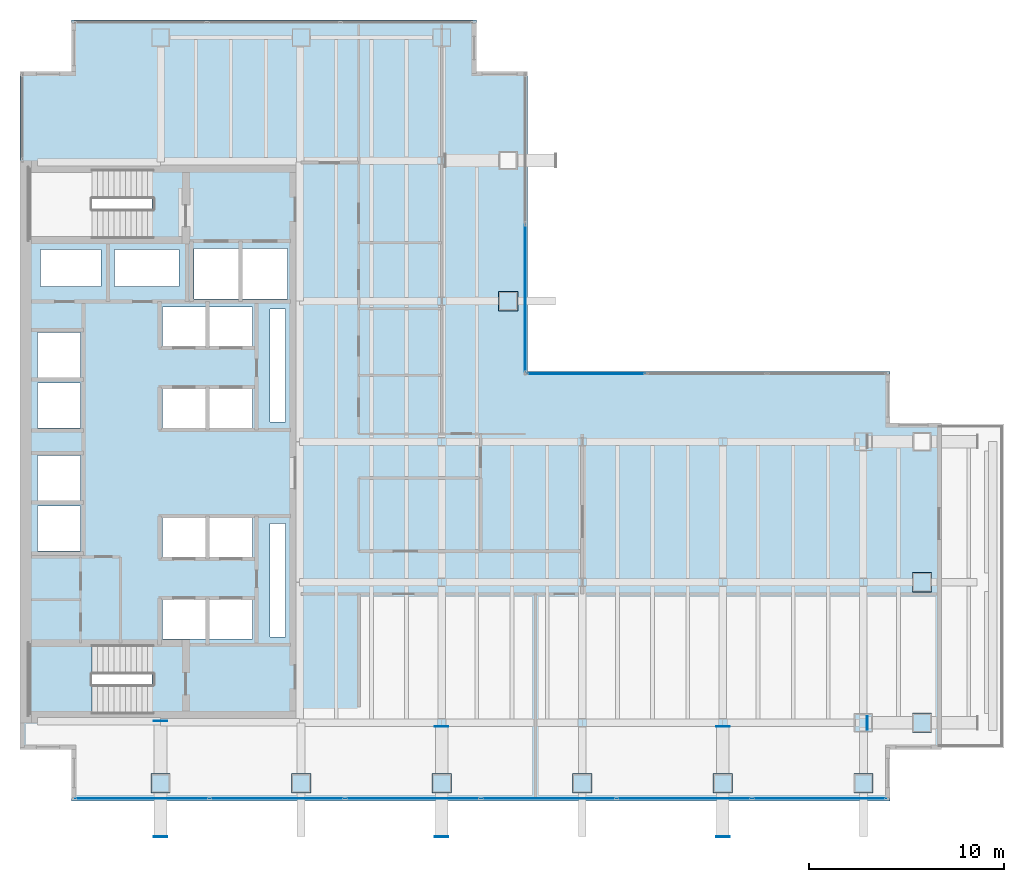
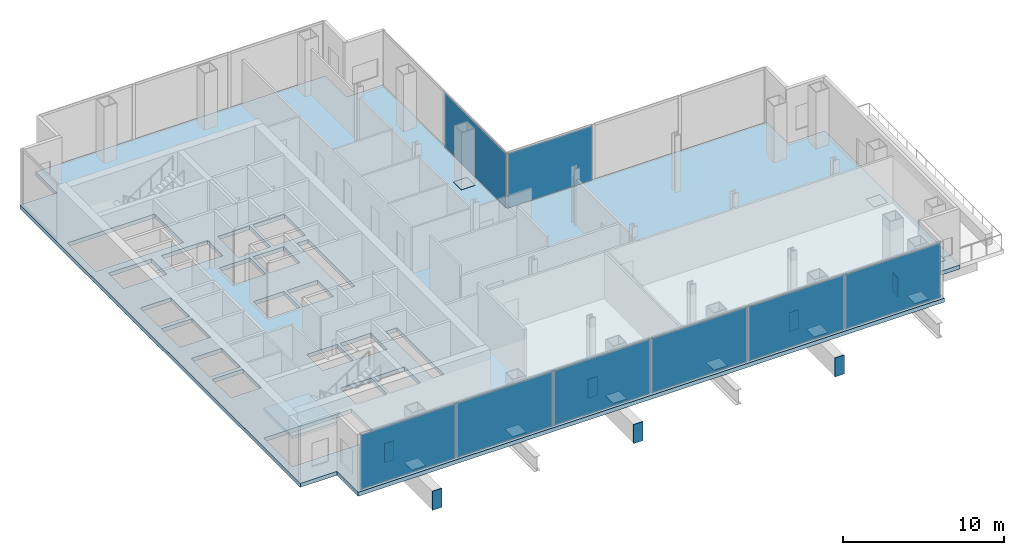
# One storey, part 11 of 16: 24 plates, 2 slabs, 20 openings, 4 elements without a shape of their own.
"""IFC4 building model written with IfcOpenShell, lengths in metres."""

import ifcopenshell
import ifcopenshell.guid

model = None  # the IFC model being written
_history = None  # IfcOwnerHistory: only IFC2X3 demands one
_inside = {}  # id of a spatial element -> (the spatial element, [elements in it])
_under = {}  # id of a project, library or spatial element -> (it, [spatial elements below it])
_declared = {}  # id of a project -> (the project, [libraries it declares])
_typed = {}  # id of a type object -> (the type object, [elements of that type])
_made_of = {}  # id of a material, layer set ... -> (it, [elements and type objects made of it])


def new_model(schema):
    """Start an empty IFC model of exactly this schema.

    Asked for "IFC4X3", IfcOpenShell would pick the latest addendum, in which some entities
    have other attributes; the version numbers below select the first issue.
    IFC2X3 requires an IfcOwnerHistory on every rooted entity: one is made here for all.
    """
    global model, _history
    if schema == "IFC4X3":
        model = ifcopenshell.file(schema_version=(4, 3, 0, 0))
    else:
        model = ifcopenshell.file(schema=schema)
    _inside.clear()
    _under.clear()
    _declared.clear()
    _typed.clear()
    _made_of.clear()
    _history = None
    if model.schema == "IFC2X3":
        org = make("IfcOrganization", Name="unknown")
        user = make(
            "IfcPersonAndOrganization",
            ThePerson=make("IfcPerson", FamilyName="unknown"),
            TheOrganization=org,
        )
        app = make(
            "IfcApplication",
            ApplicationDeveloper=org,
            Version="unknown",
            ApplicationFullName="unknown",
            ApplicationIdentifier="unknown",
        )
        _history = make(
            "IfcOwnerHistory",
            OwningUser=user,
            OwningApplication=app,
            ChangeAction="ADDED",
            CreationDate=0,
        )
    return model


def make(cls, **values):
    """One entity of the class cls with the attributes given. An attribute that is None is left unset."""
    return model.create_entity(
        cls, **{name: value for name, value in values.items() if value is not None}
    )


def rooted(cls, **values):
    """An entity with a GlobalId (a new one), such as an element, a storey or a relation."""
    return make(cls, GlobalId=ifcopenshell.guid.new(), OwnerHistory=_history, **values)


def si_unit(unit_type, name, prefix=None):
    """IfcSIUnit, for example si_unit("LENGTHUNIT", "METRE", prefix="MILLI")."""
    return make("IfcSIUnit", UnitType=unit_type, Prefix=prefix, Name=name)


def assignment(units):
    """IfcUnitAssignment: the units of a project."""
    return None if units is None else make("IfcUnitAssignment", Units=units)


def point(xyz):
    """IfcCartesianPoint."""
    return None if xyz is None else make("IfcCartesianPoint", Coordinates=xyz)


def direction(xyz):
    """IfcDirection."""
    return None if xyz is None else make("IfcDirection", DirectionRatios=xyz)


def frame(location, z_axis=None, x_axis=None):
    """IfcAxis2Placement3D, a coordinate frame: its origin and axes. An axis left out is left unset."""
    return make(
        "IfcAxis2Placement3D",
        Location=point(location),
        Axis=direction(z_axis),
        RefDirection=direction(x_axis),
    )


def frame_2d(location, x_axis=None):
    """IfcAxis2Placement2D, a coordinate frame in the plane: its origin and x axis."""
    return make(
        "IfcAxis2Placement2D", Location=point(location), RefDirection=direction(x_axis)
    )


def origin():
    """The frame at (0, 0, 0) with its axes left unset."""
    return frame((0.0, 0.0, 0.0))


def origin_2d():
    """The frame at (0, 0) in the plane with its x axis left unset."""
    return frame_2d((0.0, 0.0))


def place(relative_to, where):
    """IfcLocalPlacement: puts the frame where relative to a parent placement (None: the world)."""
    return make(
        "IfcLocalPlacement", PlacementRelTo=relative_to, RelativePlacement=where
    )


def context(
    kind, dimensions, precision=None, world=None, true_north=None, identifier=None
):
    """IfcGeometricRepresentationContext, for example the 3D "Model" context."""
    return make(
        "IfcGeometricRepresentationContext",
        ContextIdentifier=identifier,
        ContextType=kind,
        CoordinateSpaceDimension=dimensions,
        Precision=precision,
        WorldCoordinateSystem=world,
        TrueNorth=true_north,
    )


def subcontext(parent, identifier, kind, view, scale=None):
    """IfcGeometricRepresentationSubContext, for example "Body" below "Model"."""
    return make(
        "IfcGeometricRepresentationSubContext",
        ContextIdentifier=identifier,
        ContextType=kind,
        ParentContext=parent,
        TargetScale=scale,
        TargetView=view,
    )


def project(units=None, contexts=None):
    """IfcProject with its units and contexts."""
    return rooted(
        "IfcProject",
        Name="project",
        RepresentationContexts=contexts,
        UnitsInContext=assignment(units),
    )


def spatial(cls, under=None, at=None, **own):
    """A site, building, storey or space (cls), placed at a placement, below another one or the project."""
    s = rooted(cls, ObjectPlacement=at, **own)
    if under is not None:
        _under.setdefault(under.id(), (under, []))[1].append(s)
    return s


def polyline(points):
    """IfcPolyline through the points."""
    return make("IfcPolyline", Points=[point(p) for p in points])


def profile(cls, at=None, kind="AREA", **sizes):
    """A parametric profile (cls). Its sizes go by their IFC names, for example OverallWidth=200.0."""
    return make(cls, ProfileType=kind, Position=at, **sizes)


def rectangle(**sizes):
    """IfcRectangleProfileDef."""
    return profile("IfcRectangleProfileDef", **sizes)


def outline(outer, holes=None, kind="AREA"):
    """IfcArbitraryClosedProfileDef: a profile drawn as a closed curve; with holes, ...WithVoids."""
    if holes is None:
        return make("IfcArbitraryClosedProfileDef", ProfileType=kind, OuterCurve=outer)
    return make(
        "IfcArbitraryProfileDefWithVoids",
        ProfileType=kind,
        OuterCurve=outer,
        InnerCurves=holes,
    )


def extrude(swept, where, along, depth):
    """IfcExtrudedAreaSolid: the profile swept, set in the frame where, extruded along a direction by depth."""
    return make(
        "IfcExtrudedAreaSolid",
        SweptArea=swept,
        Position=where,
        ExtrudedDirection=direction(along),
        Depth=depth,
    )


def shape(context_of_items, identifier, shape_type, items):
    """IfcShapeRepresentation: the items that make up one representation, for example the "Body"."""
    return make(
        "IfcShapeRepresentation",
        ContextOfItems=context_of_items,
        RepresentationIdentifier=identifier,
        RepresentationType=shape_type,
        Items=items,
    )


def material(Name=None, Category=None):
    """IfcMaterial."""
    return make("IfcMaterial", Name=Name, Category=Category)


def layer(
    of_material, thickness, ventilated=None, Name=None, Category=None, Priority=None
):
    """IfcMaterialLayer: one layer of a wall or slab, of a material (None: an air gap)."""
    return make(
        "IfcMaterialLayer",
        Material=of_material,
        LayerThickness=thickness,
        IsVentilated=ventilated,
        Name=Name,
        Category=Category,
        Priority=Priority,
    )


def layer_set(layers, Name=None):
    """IfcMaterialLayerSet."""
    return make("IfcMaterialLayerSet", MaterialLayers=layers, LayerSetName=Name)


def made_of(thing, what):
    """Note that an element or type object is made of a material, layer set ...; save() writes the relation."""
    if what is not None:
        _made_of.setdefault(what.id(), (what, []))[1].append(thing)
    return thing


def type_object(cls, material=None, **own):
    """A type object (cls), such as IfcWallType, which elements share."""
    return made_of(rooted(cls, **own), material)


def element(
    cls,
    number,
    at=None,
    inside=None,
    cuts=None,
    type_object=None,
    material=None,
    context=None,
    identifier="Body",
    shape_type=None,
    held_by="IfcProductDefinitionShape",
    body=None,
    shapes=None,
    **own,
):
    """One element of the class cls, such as IfcWall. Its Tag is "e" and its number.

    at: its placement. inside: the storey or other place that contains it. cuts: it is an
    opening in that element (IfcRelVoidsElement). A single representation is given by context,
    identifier, shape_type and body (its items); several are given by shapes. held_by: the class
    of the entity that holds the representations. save() writes the other relations.
    """
    e = rooted(cls, Tag="e%d" % number, ObjectPlacement=at, **own)
    if body is not None:
        shapes = [shape(context, identifier, shape_type, body)]
    if shapes is not None:
        e.Representation = make(held_by, Representations=shapes)
    if inside is not None:
        _inside.setdefault(inside.id(), (inside, []))[1].append(e)
    if cuts is not None:
        rooted(
            "IfcRelVoidsElement", RelatingBuildingElement=cuts, RelatedOpeningElement=e
        )
    if type_object is not None:
        _typed.setdefault(type_object.id(), (type_object, []))[1].append(e)
    return made_of(e, material)


def aggregate(whole, parts):
    """IfcRelAggregates: a whole, such as a stair, and the parts it consists of."""
    return rooted("IfcRelAggregates", RelatingObject=whole, RelatedObjects=parts)


def save(model, path):
    """Write the relations noted so far, then the file.

    IfcRelAggregates (storeys below a building ...), IfcRelContainedInSpatialStructure (elements
    in a storey), IfcRelDefinesByType, IfcRelAssociatesMaterial and IfcRelDeclares: one each for
    every whole, place, type object, material and project.
    """
    for whole, parts in _under.values():
        aggregate(whole, parts)
    for where, things in _inside.values():
        rooted(
            "IfcRelContainedInSpatialStructure",
            RelatedElements=things,
            RelatingStructure=where,
        )
    for kind, things in _typed.values():
        rooted("IfcRelDefinesByType", RelatedObjects=things, RelatingType=kind)
    for what, things in _made_of.values():
        rooted("IfcRelAssociatesMaterial", RelatedObjects=things, RelatingMaterial=what)
    for by, libraries in _declared.values():
        rooted("IfcRelDeclares", RelatingContext=by, RelatedDefinitions=libraries)
    model.write(path)


model = new_model("IFC4")

# Units and contexts
model_context = context("Model", 3, precision=1e-05, world=origin(), true_north=direction((0.0, 1.0)))
body_context = subcontext(model_context, "Body", "Model", "MODEL_VIEW")
ifc_project = project(units=[si_unit("LENGTHUNIT", "METRE"), si_unit("AREAUNIT", "SQUARE_METRE"), si_unit("VOLUMEUNIT", "CUBIC_METRE"), si_unit("PLANEANGLEUNIT", "RADIAN"), si_unit("MASSUNIT", "GRAM", prefix="KILO")], contexts=[model_context])

# Site, building, storey
site_placement = place(None, origin())
site = spatial("IfcSite", under=ifc_project, at=site_placement, CompositionType="ELEMENT")
building_placement = place(site_placement, origin())
building = spatial("IfcBuilding", under=site, at=building_placement, Name="Cobrela Telecom Tower", CompositionType="ELEMENT")
storey_placement = place(building_placement, frame((0.0, 0.0, 97.64990234375)))
storey = spatial("IfcBuildingStorey", under=building, at=storey_placement, Name="L24", CompositionType="ELEMENT", Elevation=97.64990234375)

# Curtain wall, plate
ifc_material_1 = material(Name="Anodized Bronze Aluminium 6063-T6", Category="aluminium")
curtain_wall_type = type_object("IfcCurtainWallType", Name="CW-SYS-SKY", PredefinedType="USERDEFINED", material=ifc_material_1)
curtain_wall_1_placement = place(storey_placement, origin())
curtain_wall_1 = element("IfcCurtainWall", 1, at=curtain_wall_1_placement, inside=storey, type_object=curtain_wall_type, Name="L24 Unitised Bronze Curtain Wall 10", ObjectType="UNITISED CURTAIN WALL", PredefinedType="USERDEFINED")
ifc_material_2 = material(Name="Solar-Control Bronze Low-E Glass", Category="glass")
ifc_layer_1 = layer(ifc_material_2, 0.0400390625)
ifc_layer_set_1 = layer_set([ifc_layer_1], Name="Solar-Control Bronze Low-E Glass")
plate_type_1 = type_object("IfcPlateType", Name="CW-SYS-SKY-PNL", PredefinedType="CURTAIN_PANEL", material=ifc_layer_set_1)
plate_1_placement = place(storey_placement, frame((25.8798828125, 28.9423828125, 0.0751953125), z_axis=(0.0, 0.0, 1.0), x_axis=(0.0, -1.0, 0.0)))
plate_1 = element("IfcPlate", 2, at=plate_1_placement, type_object=plate_type_1, Name="CW-SKY panel 2.1", PredefinedType="CURTAIN_PANEL", context=body_context, shape_type="SweptSolid", body=[
    extrude(rectangle(XDim=7.56494140625, YDim=0.0400390625, at=origin_2d()), origin(), (0.0, 0.0, 1.0), 4.1298828125),
])
aggregate(curtain_wall_1, [plate_1])

curtain_wall_2_placement = place(storey_placement, origin())
curtain_wall_2 = element("IfcCurtainWall", 3, at=curtain_wall_2_placement, inside=storey, type_object=curtain_wall_type, Name="L24 Unitised Bronze Curtain Wall 11", ObjectType="UNITISED CURTAIN WALL", PredefinedType="USERDEFINED")
plate_2_placement = place(storey_placement, frame((28.9951171875, 25.080078125, 0.0751953125), z_axis=(0.0, 0.0, 1.0), x_axis=(1.0, 0.0, 0.0)))
plate_2 = element("IfcPlate", 4, at=plate_2_placement, type_object=plate_type_1, Name="CW-SKY panel 1.1", PredefinedType="CURTAIN_PANEL", context=body_context, shape_type="SweptSolid", body=[
    extrude(rectangle(XDim=6.070068359375, YDim=0.0400390625, at=origin_2d()), origin(), (0.0, 0.0, 1.0), 4.1298828125),
])
aggregate(curtain_wall_2, [plate_2])

# Curtain wall, plates
curtain_wall_3_placement = place(storey_placement, origin())
curtain_wall_3 = element("IfcCurtainWall", 5, at=curtain_wall_3_placement, inside=storey, type_object=curtain_wall_type, Name="L24 Unitised Bronze Curtain Wall 17", ObjectType="UNITISED CURTAIN WALL", PredefinedType="USERDEFINED")
plate_3_placement = place(storey_placement, frame((40.955078125, 3.320068359375, 0.0751953125), z_axis=(0.0, 0.0, 1.0), x_axis=(-1.0, 0.0, 0.0)))
plate_3 = element("IfcPlate", 6, at=plate_3_placement, type_object=plate_type_1, Name="CW-SKY panel 1.1", PredefinedType="CURTAIN_PANEL", context=body_context, shape_type="SweptSolid", body=[
    extrude(rectangle(XDim=6.830078125, YDim=0.0400390625, at=origin_2d()), origin(), (0.0, 0.0, 1.0), 4.1298828125),
])
plate_4_placement = place(storey_placement, frame((34.02490234375, 3.320068359375, 0.0751953125), z_axis=(0.0, 0.0, 1.0), x_axis=(-1.0, 0.0, 0.0)))
plate_4 = element("IfcPlate", 7, at=plate_4_placement, type_object=plate_type_1, Name="CW-SKY panel 2.1", PredefinedType="CURTAIN_PANEL", context=body_context, shape_type="SweptSolid", body=[
    extrude(rectangle(XDim=6.8701171875, YDim=0.0400390625, at=origin_2d()), origin(), (0.0, 0.0, 1.0), 4.1298828125),
])
plate_5_placement = place(storey_placement, frame((27.074951171875, 3.320068359375, 0.0751953125), z_axis=(0.0, 0.0, 1.0), x_axis=(-1.0, 0.0, 0.0)))
plate_5 = element("IfcPlate", 8, at=plate_5_placement, type_object=plate_type_1, Name="CW-SKY panel 3.1", PredefinedType="CURTAIN_PANEL", context=body_context, shape_type="SweptSolid", body=[
    extrude(rectangle(XDim=6.8701171875, YDim=0.0400390625, at=origin_2d()), origin(), (0.0, 0.0, 1.0), 4.1298828125),
])
plate_6_placement = place(storey_placement, frame((20.125, 3.320068359375, 0.0751953125), z_axis=(0.0, 0.0, 1.0), x_axis=(-1.0, 0.0, 0.0)))
plate_6 = element("IfcPlate", 9, at=plate_6_placement, type_object=plate_type_1, Name="CW-SKY panel 4.1", PredefinedType="CURTAIN_PANEL", context=body_context, shape_type="SweptSolid", body=[
    extrude(rectangle(XDim=6.8701171875, YDim=0.0400390625, at=origin_2d()), origin(), (0.0, 0.0, 1.0), 4.1298828125),
])
plate_7_placement = place(storey_placement, frame((13.175048828125, 3.320068359375, 0.0751953125), z_axis=(0.0, 0.0, 1.0), x_axis=(-1.0, 0.0, 0.0)))
plate_7 = element("IfcPlate", 10, at=plate_7_placement, type_object=plate_type_1, Name="CW-SKY panel 5.1", PredefinedType="CURTAIN_PANEL", context=body_context, shape_type="SweptSolid", body=[
    extrude(rectangle(XDim=6.8701171875, YDim=0.0400390625, at=origin_2d()), origin(), (0.0, 0.0, 1.0), 4.1298828125),
])
plate_8_placement = place(storey_placement, frame((6.2451171875, 3.320068359375, 0.0751953125), z_axis=(0.0, 0.0, 1.0), x_axis=(-1.0, 0.0, 0.0)))
plate_8 = element("IfcPlate", 11, at=plate_8_placement, type_object=plate_type_1, Name="CW-SKY panel 6.1", PredefinedType="CURTAIN_PANEL", context=body_context, shape_type="SweptSolid", body=[
    extrude(rectangle(XDim=6.830078125, YDim=0.0400390625, at=origin_2d()), origin(), (0.0, 0.0, 1.0), 4.1298828125),
])
aggregate(curtain_wall_3, [plate_3, plate_4, plate_5, plate_6, plate_7, plate_8])

# Plates
ifc_material_3 = material(Name="Steel ASTM A572 Grade 50", Category="steel")
ifc_layer_2 = layer(ifc_material_3, 0.044921875)
ifc_layer_set_2 = layer_set([ifc_layer_2], Name="Steel ASTM A572 Grade 50")
plate_type_2 = type_object("IfcPlateType", Name="PLT-END-CAP-45", PredefinedType="SHEET", material=ifc_layer_set_2)
for number, where, z_axis, x_axis, name in (
    (12, (7.199951171875, 4.10009765625, -0.04248046875), (0.0, 0.0, 1.0), (1.0, 0.0, 0.0), "L24 Stepped Column Base Cap Plate 59"),
    (13, (14.39990234375, 4.10009765625, -0.04248046875), (0.0, 0.0, 1.0), (1.0, 0.0, 0.0), "L24 Stepped Column Base Cap Plate 60"),
    (14, (21.60009765625, 4.10009765625, -0.04248046875), (0.0, 0.0, 1.0), (1.0, 0.0, 0.0), "L24 Stepped Column Base Cap Plate 61"),
    (15, (25.0, 28.800048828125, -0.04248046875), (0.0, 0.0, 1.0), (1.0, 0.0, 0.0), "L24 Stepped Column Base Cap Plate 62"),
    (16, (28.800048828125, 4.10009765625, -0.04248046875), (0.0, 0.0, 1.0), (1.0, 0.0, 0.0), "L24 Stepped Column Base Cap Plate 64"),
    (17, (36.0, 4.10009765625, -0.04248046875), (0.0, 0.0, 1.0), (1.0, 0.0, 0.0), "L24 Stepped Column Base Cap Plate 65"),
    (18, (43.199951171875, 4.10009765625, -0.04248046875), (0.0, 0.0, 1.0), (1.0, 0.0, 0.0), "L24 Stepped Column Base Cap Plate 66"),
    (19, (46.199951171875, 7.199951171875, -0.04248046875), (0.0, 0.0, 1.0), (1.0, 0.0, 0.0), "L24 Stepped Column Base Cap Plate 67"),
    (20, (46.199951171875, 14.39990234375, -0.04248046875), (0.0, 0.0, 1.0), (1.0, 0.0, 0.0), "L24 Stepped Column Base Cap Plate 68"),
):
    element("IfcPlate", number, at=place(storey_placement, frame(where, z_axis=z_axis, x_axis=x_axis)), inside=storey, type_object=plate_type_2, Name=name, PredefinedType="SHEET", context=body_context, shape_type="SweptSolid", body=[
        extrude(rectangle(XDim=0.989990234375, YDim=0.989990234375, at=origin_2d()), origin(), (0.0, 0.0, 1.0), 0.044921875),
    ])
ifc_layer_3 = layer(ifc_material_3, 0.0439453125)
ifc_layer_set_3 = layer_set([ifc_layer_3], Name="Steel ASTM A572 Grade 50")
plate_type_3 = type_object("IfcPlateType", Name="PLT-NODE-ND2", PredefinedType="USERDEFINED", material=ifc_layer_set_3)
for number, where, z_axis, x_axis, name in (
    (21, (7.199951171875, 1.360107421875, -1.719970703125), (0.0, 0.0, 1.0), (0.0, 1.0, 0.0), "Steel node plate PLT-BM-L24-BM-TRG-1400-Y-072-014-C0"),
    (22, (7.199951171875, 7.294921875, -1.719970703125), (0.0, 0.0, 1.0), (0.0, 1.0, 0.0), "Steel node plate PLT-BM-L24-BM-TRG-1400-Y-072-014-C1"),
    (23, (21.60009765625, 1.360107421875, -1.719970703125), (0.0, 0.0, 1.0), (0.0, 1.0, 0.0), "Steel node plate PLT-BM-L24-BM-TRG-1400-Y-216-014-C0"),
    (24, (21.60009765625, 7.010498046875, -1.719970703125), (0.0, 0.0, 1.0), (0.0, 1.0, 0.0), "Steel node plate PLT-BM-L24-BM-TRG-1400-Y-216-014-C1"),
    (25, (36.0, 1.360107421875, -1.719970703125), (0.0, 0.0, 1.0), (0.0, 1.0, 0.0), "Steel node plate PLT-BM-L24-BM-TRG-1400-Y-360-014-C0"),
    (26, (36.0, 7.010498046875, -1.719970703125), (0.0, 0.0, 1.0), (0.0, 1.0, 0.0), "Steel node plate PLT-BM-L24-BM-TRG-1400-Y-360-014-C1"),
    (27, (43.389404296875, 7.199951171875, -1.719970703125), (0.0, 0.0, 1.0), (1.0, 0.0, 0.0), "Steel node plate PLT-BM-L24-BM-TRG-1400-X-072-434-C0"),
):
    element("IfcPlate", number, at=place(storey_placement, frame(where, z_axis=z_axis, x_axis=x_axis)), inside=storey, type_object=plate_type_3, Name=name, ObjectType="GUSSET PLATE", PredefinedType="USERDEFINED", context=body_context, shape_type="SweptSolid", body=[
        extrude(rectangle(XDim=0.044921875, YDim=0.68994140625, at=origin_2d()), origin(), (0.0, 0.0, 1.0), 1.43994140625),
    ])

# Slab, openings
ifc_material_4 = material(Name="Concrete C40/50", Category="concrete")
ifc_layer_4 = layer(ifc_material_4, 0.300048828125)
ifc_layer_set_4 = layer_set([ifc_layer_4], Name="Concrete C40/50")
slab_type_1 = type_object("IfcSlabType", Name="SLAB-FLR-300", PredefinedType="FLOOR", material=ifc_layer_set_4)
slab_1_placement = place(storey_placement, frame((0.0, 0.0, -0.2998046875)))
slab_1 = element("IfcSlab", 28, at=slab_1_placement, inside=storey, type_object=slab_type_1, Name="L24 Structural Floor Slab", PredefinedType="FLOOR", context=body_context, shape_type="SweptSolid", body=[
    extrude(outline(polyline([(2.6298828125, 3.199951171875), (44.570068359375, 3.199951171875), (44.570068359375, 5.830078125), (47.199951171875, 5.830078125), (47.199951171875, 22.570068359375), (44.570068359375, 22.570068359375), (44.570068359375, 25.199951171875), (26.0, 25.199951171875), (26.0, 40.570068359375), (23.3701171875, 40.570068359375), (23.3701171875, 43.199951171875), (2.6298828125, 43.199951171875), (2.6298828125, 40.570068359375), (0.0, 40.570068359375), (0.0, 5.830078125), (2.6298828125, 5.830078125), (2.6298828125, 3.199951171875)])), origin(), (0.0, 0.0, 1.0), 0.2998046875),
])
opening_1_placement = place(slab_1_placement, frame((0.0, 0.0, -0.02001953125)))
element("IfcOpeningElement", 29, at=opening_1_placement, cuts=slab_1, Name="Slab Shaft Opening SLAB-L24-MAIN.1", PredefinedType="OPENING", context=body_context, shape_type="SweptSolid", body=[
    extrude(outline(polyline([(8.89990234375, 28.89990234375), (11.199951171875, 28.89990234375), (11.199951171875, 31.5), (8.89990234375, 31.5), (8.89990234375, 28.89990234375)])), origin(), (0.0, 0.0, 1.0), 0.33984375),
])
opening_2_placement = place(slab_1_placement, frame((0.0, 0.0, -0.02001953125)))
element("IfcOpeningElement", 30, at=opening_2_placement, cuts=slab_1, Name="Slab Shaft Opening SLAB-L24-MAIN.2", PredefinedType="OPENING", context=body_context, shape_type="SweptSolid", body=[
    extrude(outline(polyline([(11.39990234375, 28.89990234375), (13.699951171875, 28.89990234375), (13.699951171875, 31.5), (11.39990234375, 31.5), (11.39990234375, 28.89990234375)])), origin(), (0.0, 0.0, 1.0), 0.33984375),
])
opening_3_placement = place(slab_1_placement, frame((0.0, 0.0, -0.02001953125)))
element("IfcOpeningElement", 31, at=opening_3_placement, cuts=slab_1, Name="Slab Shaft Opening SLAB-L24-MAIN.3", PredefinedType="OPENING", context=body_context, shape_type="SweptSolid", body=[
    extrude(outline(polyline([(7.300048828125, 22.300048828125), (9.5, 22.300048828125), (9.5, 24.300048828125), (7.300048828125, 24.300048828125), (7.300048828125, 22.300048828125)])), origin(), (0.0, 0.0, 1.0), 0.33984375),
])
opening_4_placement = place(slab_1_placement, frame((0.0, 0.0, -0.02001953125)))
element("IfcOpeningElement", 32, at=opening_4_placement, cuts=slab_1, Name="Slab Shaft Opening SLAB-L24-MAIN.4", PredefinedType="OPENING", context=body_context, shape_type="SweptSolid", body=[
    extrude(outline(polyline([(9.699951171875, 22.300048828125), (11.89990234375, 22.300048828125), (11.89990234375, 24.300048828125), (9.699951171875, 24.300048828125), (9.699951171875, 22.300048828125)])), origin(), (0.0, 0.0, 1.0), 0.33984375),
])
opening_5_placement = place(slab_1_placement, frame((0.0, 0.0, -0.02001953125)))
element("IfcOpeningElement", 33, at=opening_5_placement, cuts=slab_1, Name="Slab Shaft Opening SLAB-L24-MAIN.5", PredefinedType="OPENING", context=body_context, shape_type="SweptSolid", body=[
    extrude(outline(polyline([(7.300048828125, 26.5), (9.5, 26.5), (9.5, 28.5), (7.300048828125, 28.5), (7.300048828125, 26.5)])), origin(), (0.0, 0.0, 1.0), 0.33984375),
])
opening_6_placement = place(slab_1_placement, frame((0.0, 0.0, -0.02001953125)))
element("IfcOpeningElement", 34, at=opening_6_placement, cuts=slab_1, Name="Slab Shaft Opening SLAB-L24-MAIN.6", PredefinedType="OPENING", context=body_context, shape_type="SweptSolid", body=[
    extrude(outline(polyline([(9.699951171875, 26.5), (11.89990234375, 26.5), (11.89990234375, 28.5), (9.699951171875, 28.5), (9.699951171875, 26.5)])), origin(), (0.0, 0.0, 1.0), 0.33984375),
])
opening_7_placement = place(slab_1_placement, frame((0.0, 0.0, -0.02001953125)))
element("IfcOpeningElement", 35, at=opening_7_placement, cuts=slab_1, Name="Slab Shaft Opening SLAB-L24-MAIN.7", PredefinedType="OPENING", context=body_context, shape_type="SweptSolid", body=[
    extrude(outline(polyline([(7.300048828125, 15.699951171875), (9.5, 15.699951171875), (9.5, 17.699951171875), (7.300048828125, 17.699951171875), (7.300048828125, 15.699951171875)])), origin(), (0.0, 0.0, 1.0), 0.33984375),
])
opening_8_placement = place(slab_1_placement, frame((0.0, 0.0, -0.02001953125)))
element("IfcOpeningElement", 36, at=opening_8_placement, cuts=slab_1, Name="Slab Shaft Opening SLAB-L24-MAIN.8", PredefinedType="OPENING", context=body_context, shape_type="SweptSolid", body=[
    extrude(outline(polyline([(9.699951171875, 15.699951171875), (11.89990234375, 15.699951171875), (11.89990234375, 17.699951171875), (9.699951171875, 17.699951171875), (9.699951171875, 15.699951171875)])), origin(), (0.0, 0.0, 1.0), 0.33984375),
])
opening_9_placement = place(slab_1_placement, frame((0.0, 0.0, -0.02001953125)))
element("IfcOpeningElement", 37, at=opening_9_placement, cuts=slab_1, Name="Slab Shaft Opening SLAB-L24-MAIN.9", PredefinedType="OPENING", context=body_context, shape_type="SweptSolid", body=[
    extrude(outline(polyline([(7.300048828125, 11.5), (9.5, 11.5), (9.5, 13.5), (7.300048828125, 13.5), (7.300048828125, 11.5)])), origin(), (0.0, 0.0, 1.0), 0.33984375),
])
opening_10_placement = place(slab_1_placement, frame((0.0, 0.0, -0.02001953125)))
element("IfcOpeningElement", 38, at=opening_10_placement, cuts=slab_1, Name="Slab Shaft Opening SLAB-L24-MAIN.10", PredefinedType="OPENING", context=body_context, shape_type="SweptSolid", body=[
    extrude(outline(polyline([(9.699951171875, 11.5), (11.89990234375, 11.5), (11.89990234375, 13.5), (9.699951171875, 13.5), (9.699951171875, 11.5)])), origin(), (0.0, 0.0, 1.0), 0.33984375),
])
opening_11_placement = place(slab_1_placement, frame((0.0, 0.0, -0.02001953125)))
element("IfcOpeningElement", 39, at=opening_11_placement, cuts=slab_1, Name="Slab Shaft Opening SLAB-L24-MAIN.11", PredefinedType="OPENING", context=body_context, shape_type="SweptSolid", body=[
    extrude(outline(polyline([(0.89990234375, 16.0), (3.10009765625, 16.0), (3.10009765625, 18.300048828125), (0.89990234375, 18.300048828125), (0.89990234375, 16.0)])), origin(), (0.0, 0.0, 1.0), 0.33984375),
])
opening_12_placement = place(slab_1_placement, frame((0.0, 0.0, -0.02001953125)))
element("IfcOpeningElement", 40, at=opening_12_placement, cuts=slab_1, Name="Slab Shaft Opening SLAB-L24-MAIN.12", PredefinedType="OPENING", context=body_context, shape_type="SweptSolid", body=[
    extrude(outline(polyline([(0.89990234375, 18.60009765625), (3.10009765625, 18.60009765625), (3.10009765625, 20.89990234375), (0.89990234375, 20.89990234375), (0.89990234375, 18.60009765625)])), origin(), (0.0, 0.0, 1.0), 0.33984375),
])
opening_13_placement = place(slab_1_placement, frame((0.0, 0.0, -0.02001953125)))
element("IfcOpeningElement", 41, at=opening_13_placement, cuts=slab_1, Name="Slab Shaft Opening SLAB-L24-MAIN.13", PredefinedType="OPENING", context=body_context, shape_type="SweptSolid", body=[
    extrude(outline(polyline([(0.89990234375, 22.300048828125), (3.10009765625, 22.300048828125), (3.10009765625, 24.60009765625), (0.89990234375, 24.60009765625), (0.89990234375, 22.300048828125)])), origin(), (0.0, 0.0, 1.0), 0.33984375),
])
opening_14_placement = place(slab_1_placement, frame((0.0, 0.0, -0.02001953125)))
element("IfcOpeningElement", 42, at=opening_14_placement, cuts=slab_1, Name="Slab Shaft Opening SLAB-L24-MAIN.14", PredefinedType="OPENING", context=body_context, shape_type="SweptSolid", body=[
    extrude(outline(polyline([(0.89990234375, 24.89990234375), (3.10009765625, 24.89990234375), (3.10009765625, 27.199951171875), (0.89990234375, 27.199951171875), (0.89990234375, 24.89990234375)])), origin(), (0.0, 0.0, 1.0), 0.33984375),
])
opening_15_placement = place(slab_1_placement, frame((0.0, 0.0, -0.02001953125)))
element("IfcOpeningElement", 43, at=opening_15_placement, cuts=slab_1, Name="Slab Shaft Opening SLAB-L24-MAIN.15", PredefinedType="OPENING", context=body_context, shape_type="SweptSolid", body=[
    extrude(outline(polyline([(1.050048828125, 29.550048828125), (4.14990234375, 29.550048828125), (4.14990234375, 31.449951171875), (1.050048828125, 31.449951171875), (1.050048828125, 29.550048828125)])), origin(), (0.0, 0.0, 1.0), 0.33984375),
])
opening_16_placement = place(slab_1_placement, frame((0.0, 0.0, -0.02001953125)))
element("IfcOpeningElement", 44, at=opening_16_placement, cuts=slab_1, Name="Slab Shaft Opening SLAB-L24-MAIN.16", PredefinedType="OPENING", context=body_context, shape_type="SweptSolid", body=[
    extrude(outline(polyline([(4.85009765625, 29.550048828125), (8.14990234375, 29.550048828125), (8.14990234375, 31.449951171875), (4.85009765625, 31.449951171875), (4.85009765625, 29.550048828125)])), origin(), (0.0, 0.0, 1.0), 0.33984375),
])
opening_17_placement = place(slab_1_placement, frame((0.0, 0.0, -0.02001953125)))
element("IfcOpeningElement", 45, at=opening_17_placement, cuts=slab_1, Name="Slab Shaft Opening SLAB-L24-MAIN.17", PredefinedType="OPENING", context=body_context, shape_type="SweptSolid", body=[
    extrude(outline(polyline([(12.800048828125, 22.60009765625), (13.60009765625, 22.60009765625), (13.60009765625, 28.39990234375), (12.800048828125, 28.39990234375), (12.800048828125, 22.60009765625)])), origin(), (0.0, 0.0, 1.0), 0.33984375),
])
opening_18_placement = place(slab_1_placement, frame((0.0, 0.0, -0.02001953125)))
element("IfcOpeningElement", 46, at=opening_18_placement, cuts=slab_1, Name="Slab Shaft Opening SLAB-L24-MAIN.18", PredefinedType="OPENING", context=body_context, shape_type="SweptSolid", body=[
    extrude(outline(polyline([(12.800048828125, 11.60009765625), (13.60009765625, 11.60009765625), (13.60009765625, 17.39990234375), (12.800048828125, 17.39990234375), (12.800048828125, 11.60009765625)])), origin(), (0.0, 0.0, 1.0), 0.33984375),
])
opening_19_placement = place(slab_1_placement, frame((0.0, 0.0, -0.02001953125)))
element("IfcOpeningElement", 47, at=opening_19_placement, cuts=slab_1, Name="Slab Shaft Opening SLAB-L24-MAIN.19", PredefinedType="OPENING", context=body_context, shape_type="SweptSolid", body=[
    extrude(outline(polyline([(6.7548828125, 35.550048828125), (0.47998046875, 35.550048828125), (0.47998046875, 32.0), (6.7548828125, 32.0), (6.7548828125, 35.550048828125)])), origin(), (0.0, 0.0, 1.0), 0.33984375),
])
opening_20_placement = place(slab_1_placement, frame((0.0, 0.0, -0.02001953125)))
element("IfcOpeningElement", 48, at=opening_20_placement, cuts=slab_1, Name="Slab Shaft Opening SLAB-L24-MAIN.20", PredefinedType="OPENING", context=body_context, shape_type="SweptSolid", body=[
    extrude(outline(polyline([(6.7548828125, 11.199951171875), (0.47998046875, 11.199951171875), (0.47998046875, 7.64990234375), (6.7548828125, 7.64990234375), (6.7548828125, 11.199951171875)])), origin(), (0.0, 0.0, 1.0), 0.33984375),
])

# Stair, slab
stair_type = type_object("IfcStairType", Name="STAIR-CORE", PredefinedType="HALF_TURN_STAIR", material=ifc_material_4)
stair_placement = place(storey_placement, origin())
stair = element("IfcStair", 49, at=stair_placement, inside=storey, type_object=stair_type, Name="L24 Smokeproof Exit Stair ST2", PredefinedType="HALF_TURN_STAIR")
ifc_layer_5 = layer(ifc_material_4, 0.199951171875)
ifc_layer_set_5 = layer_set([ifc_layer_5], Name="Concrete C40/50")
slab_type_2 = type_object("IfcSlabType", Name="SLAB-LAND-200", PredefinedType="LANDING", material=ifc_layer_set_5)
slab_2_placement = place(storey_placement, frame((0.0, 0.0, 2.0751953125)))
slab_2 = element("IfcSlab", 50, at=slab_2_placement, type_object=slab_type_2, Name="ST2 landing 1", PredefinedType="LANDING", context=body_context, shape_type="SweptSolid", body=[
    extrude(outline(polyline([(3.68505859375, 11.199951171875), (0.47998046875, 11.199951171875), (0.47998046875, 7.64990234375), (3.68505859375, 7.64990234375), (3.68505859375, 11.199951171875)])), origin(), (0.0, 0.0, 1.0), 0.199951171875),
])
aggregate(stair, [slab_2])

save(model, "model.ifc")
